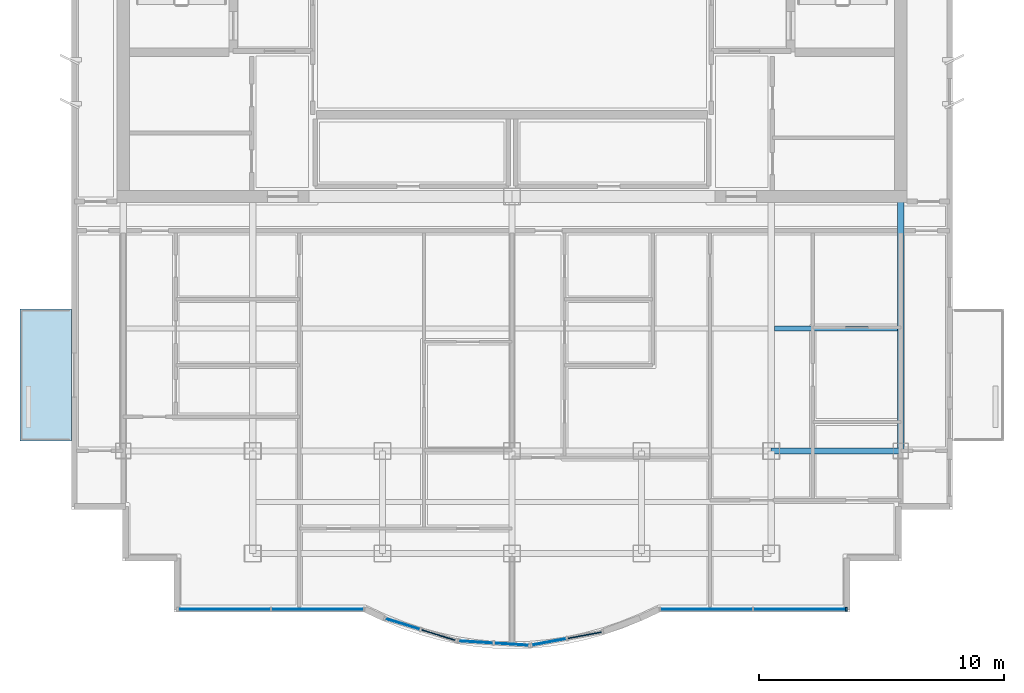
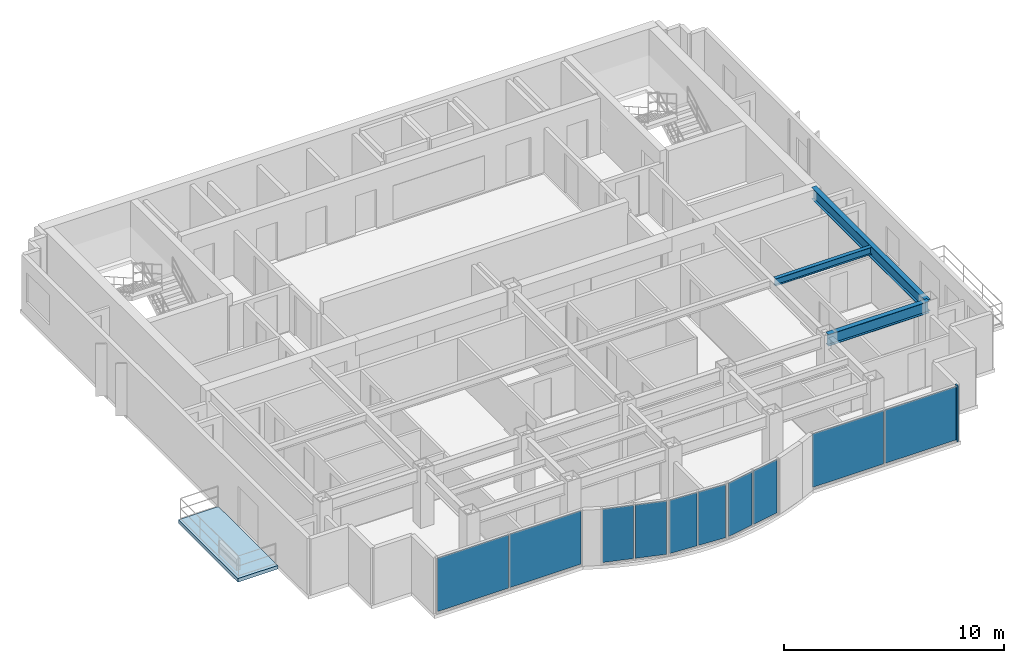
# One storey, part 2 of 9: 10 plates, 3 beams, 1 member, 1 slab, 5 elements without a shape of their own.
"""IFC4 building model written with IfcOpenShell, lengths in metres."""

from ifc_helpers import new_model, si_unit, direction, frame, origin, origin_2d, place, context, subcontext, project, spatial, polyline, rectangle, i_section, outline, extrude, source, transform, mapped, material, layer, layer_set, material_profile, profile_set, type_object, element, aggregate, save


model = new_model("IFC4")

# Units and contexts
model_context = context("Model", 3, precision=1e-05, world=origin(), true_north=direction((0.0, 1.0)))
body_context = subcontext(model_context, "Body", "Model", "MODEL_VIEW")
ifc_project = project(units=[si_unit("LENGTHUNIT", "METRE"), si_unit("AREAUNIT", "SQUARE_METRE"), si_unit("VOLUMEUNIT", "CUBIC_METRE"), si_unit("PLANEANGLEUNIT", "RADIAN"), si_unit("MASSUNIT", "GRAM", prefix="KILO")], contexts=[model_context])

# Site, building, storey
site_placement = place(None, origin())
site = spatial("IfcSite", under=ifc_project, at=site_placement, CompositionType="ELEMENT")
building_placement = place(site_placement, origin())
building = spatial("IfcBuilding", under=site, at=building_placement, Name="Qianlan Lanfeng Residences", CompositionType="ELEMENT")
storey_placement = place(building_placement, frame((0.0, 0.0, 249.5)))
storey = spatial("IfcBuildingStorey", under=building, at=storey_placement, Name="L69", CompositionType="ELEMENT", Elevation=249.5)

# Beams
ifc_material_1 = material(Name="Steel SN490B", Category="steel")
ifc_material_profile_1 = material_profile(ifc_material_1, i_section(OverallWidth=0.25, OverallDepth=0.64990234375, WebThickness=0.012939453125, FlangeThickness=0.02197265625, at=origin_2d()), Name="H 650x250x13x22")
ifc_profile_set_1 = profile_set([ifc_material_profile_1], Name="Steel SN490B")
beam_type_1 = type_object("IfcBeamType", Name="G-650", PredefinedType="BEAM", material=ifc_profile_set_1)
beam_1_placement = place(storey_placement, frame((37.10009765625, 14.800048828125, 2.784912109375), z_axis=(1.0, 0.0, 0.0), x_axis=(0.0, 1.0, 0.0)))
element("IfcBeam", 1, at=beam_1_placement, inside=storey, type_object=beam_type_1, Name="Structural beam G-650", PredefinedType="BEAM", context=body_context, shape_type="SweptSolid", body=[
    extrude(i_section(OverallWidth=0.25, OverallDepth=0.64990234375, WebThickness=0.012939453125, FlangeThickness=0.02197265625, at=origin_2d()), origin(), (0.0, 0.0, 1.0), 5.2998046875),
])
beam_2_placement = place(storey_placement, frame((42.39990234375, 14.800048828125, 2.784912109375), z_axis=(0.0, 1.0, 0.0), x_axis=(-1.0, 0.0, 0.0)))
element("IfcBeam", 2, at=beam_2_placement, inside=storey, type_object=beam_type_1, Name="Structural beam G-650", PredefinedType="BEAM", context=body_context, shape_type="SweptSolid", body=[
    extrude(i_section(OverallWidth=0.25, OverallDepth=0.64990234375, WebThickness=0.012939453125, FlangeThickness=0.02197265625, at=origin_2d()), origin(), (0.0, 0.0, 1.0), 10.39990234375),
])
ifc_material_profile_2 = material_profile(ifc_material_1, i_section(OverallWidth=0.199951171875, OverallDepth=0.39990234375, WebThickness=0.008056640625, FlangeThickness=0.012939453125, at=origin_2d()), Name="H 400x200x8x13")
ifc_profile_set_2 = profile_set([ifc_material_profile_2], Name="Steel SN490B")
beam_type_2 = type_object("IfcBeamType", Name="J-400", PredefinedType="JOIST", material=ifc_profile_set_2)
beam_3_placement = place(storey_placement, frame((37.22509765625, 19.800048828125, 2.909912109375), z_axis=(1.0, 0.0, 0.0), x_axis=(0.0, 1.0, 0.0)))
element("IfcBeam", 3, at=beam_3_placement, inside=storey, type_object=beam_type_2, Name="Structural beam J-400", PredefinedType="JOIST", context=body_context, shape_type="SweptSolid", body=[
    extrude(i_section(OverallWidth=0.199951171875, OverallDepth=0.39990234375, WebThickness=0.008056640625, FlangeThickness=0.012939453125, at=origin_2d()), origin(), (0.0, 0.0, 1.0), 5.0498046875),
])

# Curtain wall, member
ifc_material_2 = material(Name="Anodised Bronze Aluminium 6063-T6", Category="aluminium")
ifc_layer_1 = layer(ifc_material_2, 0.219970703125)
ifc_layer_set_1 = layer_set([ifc_layer_1], Name="Anodised Bronze Aluminium 6063-T6")
curtain_wall_type = type_object("IfcCurtainWallType", Name="CW-06", PredefinedType="NOTDEFINED", material=ifc_layer_set_1)
curtain_wall_1_placement = place(storey_placement, origin())
curtain_wall_1 = element("IfcCurtainWall", 4, at=curtain_wall_1_placement, inside=storey, type_object=curtain_wall_type, Name="L69 Unitised Curtain Wall CWR-L69-05 (CW-06)", PredefinedType="NOTDEFINED")
ifc_material_profile_3 = material_profile(ifc_material_2, rectangle(XDim=0.074951171875, YDim=0.179931640625, at=origin_2d()), Name="ALU MULLION 75x180")
ifc_profile_set_3 = profile_set([ifc_material_profile_3], Name="Anodised Bronze Aluminium 6063-T6")
member_type = type_object("IfcMemberType", Name="CWM-180", PredefinedType="MULLION", material=ifc_profile_set_3)
shared_shape_1 = source(origin(), body_context, "Body", "SweptSolid", [
    extrude(rectangle(XDim=0.074951171875, YDim=0.179931640625, at=origin_2d()), origin(), (0.0, 0.0, 1.0), 3.110107421875),
])
member_placement = place(storey_placement, frame((40.16259765625, 8.320068359375, 0.0), z_axis=(0.0, 0.0, 1.0), x_axis=(1.0, 0.0, 0.0)))
member = element("IfcMember", 5, at=member_placement, type_object=member_type, Name="CWR-L69-05 Mullion 3", PredefinedType="MULLION", context=body_context, shape_type="MappedRepresentation", body=[
    mapped(shared_shape_1, transform((0.0, 0.0, 0.0), scale=1.0)),
])

# Slab
ifc_material_3 = material(Name="Concrete C42", Category="concrete")
ifc_layer_2 = layer(ifc_material_3, 0.199951171875)
ifc_layer_set_2 = layer_set([ifc_layer_2], Name="Concrete C42")
slab_type = type_object("IfcSlabType", Name="S-BAL-200", PredefinedType="FLOOR", material=ifc_layer_set_2)
slab_placement = place(storey_placement, frame((0.0, 0.0, -0.199951171875)))
element("IfcSlab", 6, at=slab_placement, inside=storey, type_object=slab_type, Name="L69 Planted Tree Balcony Slab WB-S", PredefinedType="FLOOR", context=body_context, shape_type="SweptSolid", body=[
    extrude(outline(polyline([(8.47998046875, 15.199951171875), (8.47998046875, 20.60009765625), (6.3798828125, 20.60009765625), (6.3798828125, 15.199951171875), (8.47998046875, 15.199951171875)])), origin(), (0.0, 0.0, 1.0), 0.199951171875),
])

# Curtain wall, plates
curtain_wall_2_placement = place(storey_placement, origin())
curtain_wall_2 = element("IfcCurtainWall", 7, at=curtain_wall_2_placement, inside=storey, type_object=curtain_wall_type, Name="L69 Unitised Curtain Wall CWR-L69-01 (CW-06)", PredefinedType="NOTDEFINED")
ifc_material_4 = material(Name="Clear Low-E Insulated Glass", Category="glass")
ifc_layer_3 = layer(ifc_material_4, 0.035888671875)
ifc_layer_set_3 = layer_set([ifc_layer_3], Name="Clear Low-E Insulated Glass")
plate_type_1 = type_object("IfcPlateType", Name="PNL-GLZ-CLR", PredefinedType="CURTAIN_PANEL", material=ifc_layer_set_3)
shared_shape_2 = source(origin(), body_context, "Body", "SweptSolid", [
    extrude(rectangle(XDim=3.73291015625, YDim=0.035888671875, at=origin_2d()), origin(), (0.0, 0.0, 1.0), 2.9619140625),
])
plate_1_placement = place(storey_placement, frame((14.740478515625, 8.320068359375, 0.073974609375), z_axis=(0.0, 0.0, 1.0), x_axis=(1.0, 0.0, 0.0)))
plate_1 = element("IfcPlate", 8, at=plate_1_placement, type_object=plate_type_1, Name="CWR-L69-01 Curtain Panel 1", PredefinedType="CURTAIN_PANEL", context=body_context, shape_type="MappedRepresentation", body=[
    mapped(shared_shape_2, transform((0.0, 0.0, 0.0), scale=1.0)),
])
plate_2_placement = place(storey_placement, frame((18.54638671875, 8.320068359375, 0.073974609375), z_axis=(0.0, 0.0, 1.0), x_axis=(1.0, 0.0, 0.0)))
plate_2 = element("IfcPlate", 9, at=plate_2_placement, type_object=plate_type_1, Name="CWR-L69-01 Curtain Panel 2", PredefinedType="CURTAIN_PANEL", context=body_context, shape_type="MappedRepresentation", body=[
    mapped(shared_shape_2, transform((0.0, 0.0, 0.0), scale=1.0)),
])
aggregate(curtain_wall_2, [plate_1, plate_2])

# Plate
plate_3_placement = place(storey_placement, frame((34.45361328125, 8.320068359375, 0.073974609375), z_axis=(0.0, 0.0, 1.0), x_axis=(1.0, 0.0, 0.0)))
plate_3 = element("IfcPlate", 10, at=plate_3_placement, type_object=plate_type_1, Name="CWR-L69-05 Curtain Panel 1", PredefinedType="CURTAIN_PANEL", context=body_context, shape_type="MappedRepresentation", body=[
    mapped(shared_shape_2, transform((0.0, 0.0, 0.0), scale=1.0)),
])

plate_4_placement = place(storey_placement, frame((38.259521484375, 8.320068359375, 0.073974609375), z_axis=(0.0, 0.0, 1.0), x_axis=(1.0, 0.0, 0.0)))
plate_4 = element("IfcPlate", 11, at=plate_4_placement, type_object=plate_type_1, Name="CWR-L69-05 Curtain Panel 2", PredefinedType="CURTAIN_PANEL", context=body_context, shape_type="MappedRepresentation", body=[
    mapped(shared_shape_2, transform((0.0, 0.0, 0.0), scale=1.0)),
])

aggregate(curtain_wall_1, [member, plate_3, plate_4])

# Curtain wall, plates
curtain_wall_3_placement = place(storey_placement, origin())
curtain_wall_3 = element("IfcCurtainWall", 12, at=curtain_wall_3_placement, inside=storey, type_object=curtain_wall_type, Name="L69 Unitised Curtain Wall CWR-L69-02 (CW-06)", PredefinedType="NOTDEFINED")
shared_shape_3 = source(origin(), body_context, "Body", "SweptSolid", [
    extrude(rectangle(XDim=1.456787109375, YDim=0.035888671875, at=origin_2d()), origin(), (0.0, 0.0, 1.0), 2.9619140625),
])
plate_5_placement = place(storey_placement, frame((22.029296875, 7.72021484375, 0.073974609375), z_axis=(0.0, 0.0, 1.0), x_axis=(0.955079962155, -0.296348217287, 0.0)))
plate_5 = element("IfcPlate", 13, at=plate_5_placement, type_object=plate_type_1, Name="CWR-L69-02 Curtain Panel 1", PredefinedType="CURTAIN_PANEL", context=body_context, shape_type="MappedRepresentation", body=[
    mapped(shared_shape_3, transform((0.0, 0.0, 0.0), scale=1.0)),
])
ifc_material_5 = material(Name="Perforated Anodised Bronze Aluminium Panel", Category="aluminium")
ifc_layer_4 = layer(ifc_material_5, 0.0419921875)
ifc_layer_set_4 = layer_set([ifc_layer_4], Name="Perforated Anodised Bronze Aluminium Panel")
plate_type_2 = type_object("IfcPlateType", Name="PNL-PRF-BRZ", PredefinedType="CURTAIN_PANEL", material=ifc_layer_set_4)
shared_shape_4 = source(origin(), body_context, "Body", "SweptSolid", [
    extrude(rectangle(XDim=1.456787109375, YDim=0.0419921875, at=origin_2d()), origin(), (0.0, 0.0, 1.0), 2.9619140625),
])
plate_6_placement = place(storey_placement, frame((23.490478515625, 7.266845703125, 0.073974609375), z_axis=(0.0, 0.0, 1.0), x_axis=(0.955079962155, -0.296348217287, 0.0)))
plate_6 = element("IfcPlate", 14, at=plate_6_placement, type_object=plate_type_2, Name="CWR-L69-02 Curtain Panel 2", PredefinedType="CURTAIN_PANEL", context=body_context, shape_type="MappedRepresentation", body=[
    mapped(shared_shape_4, transform((0.0, 0.0, 0.0), scale=1.0)),
])
aggregate(curtain_wall_3, [plate_5, plate_6])

curtain_wall_4_placement = place(storey_placement, origin())
curtain_wall_4 = element("IfcCurtainWall", 15, at=curtain_wall_4_placement, inside=storey, type_object=curtain_wall_type, Name="L69 Unitised Curtain Wall CWR-L69-03 (CW-06)", PredefinedType="NOTDEFINED")
shared_shape_5 = source(origin(), body_context, "Body", "SweptSolid", [
    extrude(rectangle(XDim=1.387939453125, YDim=0.035888671875, at=origin_2d()), origin(), (0.0, 0.0, 1.0), 2.9619140625),
])
plate_7_placement = place(storey_placement, frame((25.0234375, 6.981201171875, 0.073974609375), z_axis=(0.0, 0.0, 1.0), x_axis=(0.998072054859, -0.062065878781, 0.0)))
plate_7 = element("IfcPlate", 16, at=plate_7_placement, type_object=plate_type_1, Name="CWR-L69-03 Curtain Panel 1", PredefinedType="CURTAIN_PANEL", context=body_context, shape_type="MappedRepresentation", body=[
    mapped(shared_shape_5, transform((0.0, 0.0, 0.0), scale=1.0)),
])
plate_8_placement = place(storey_placement, frame((26.481689453125, 6.890625, 0.073974609375), z_axis=(0.0, 0.0, 1.0), x_axis=(0.998072054859, -0.062065878781, 0.0)))
plate_8 = element("IfcPlate", 17, at=plate_8_placement, type_object=plate_type_1, Name="CWR-L69-03 Curtain Panel 2", PredefinedType="CURTAIN_PANEL", context=body_context, shape_type="MappedRepresentation", body=[
    mapped(shared_shape_5, transform((0.0, 0.0, 0.0), scale=1.0)),
])
aggregate(curtain_wall_4, [plate_7, plate_8])

curtain_wall_5_placement = place(storey_placement, origin())
curtain_wall_5 = element("IfcCurtainWall", 18, at=curtain_wall_5_placement, inside=storey, type_object=curtain_wall_type, Name="L69 Unitised Curtain Wall CWR-L69-04 (CW-06)", PredefinedType="NOTDEFINED")
shared_shape_6 = source(origin(), body_context, "Body", "SweptSolid", [
    extrude(rectangle(XDim=1.410888671875, YDim=0.035888671875, at=origin_2d()), origin(), (0.0, 0.0, 1.0), 2.9619140625),
])
plate_9_placement = place(storey_placement, frame((28.01416015625, 6.98583984375, 0.073974609375), z_axis=(0.0, 0.0, 1.0), x_axis=(0.983039214023, 0.183395484386, 0.0)))
plate_9 = element("IfcPlate", 19, at=plate_9_placement, type_object=plate_type_1, Name="CWR-L69-04 Curtain Panel 1", PredefinedType="CURTAIN_PANEL", context=body_context, shape_type="MappedRepresentation", body=[
    mapped(shared_shape_6, transform((0.0, 0.0, 0.0), scale=1.0)),
])
shared_shape_7 = source(origin(), body_context, "Body", "SweptSolid", [
    extrude(rectangle(XDim=1.410888671875, YDim=0.0419921875, at=origin_2d()), origin(), (0.0, 0.0, 1.0), 2.9619140625),
])
plate_10_placement = place(storey_placement, frame((29.472900390625, 7.258056640625, 0.073974609375), z_axis=(0.0, 0.0, 1.0), x_axis=(0.983039214023, 0.183395484386, 0.0)))
plate_10 = element("IfcPlate", 20, at=plate_10_placement, type_object=plate_type_2, Name="CWR-L69-04 Curtain Panel 2", PredefinedType="CURTAIN_PANEL", context=body_context, shape_type="MappedRepresentation", body=[
    mapped(shared_shape_7, transform((0.0, 0.0, 0.0), scale=1.0)),
])
aggregate(curtain_wall_5, [plate_9, plate_10])

save(model, "model.ifc")
